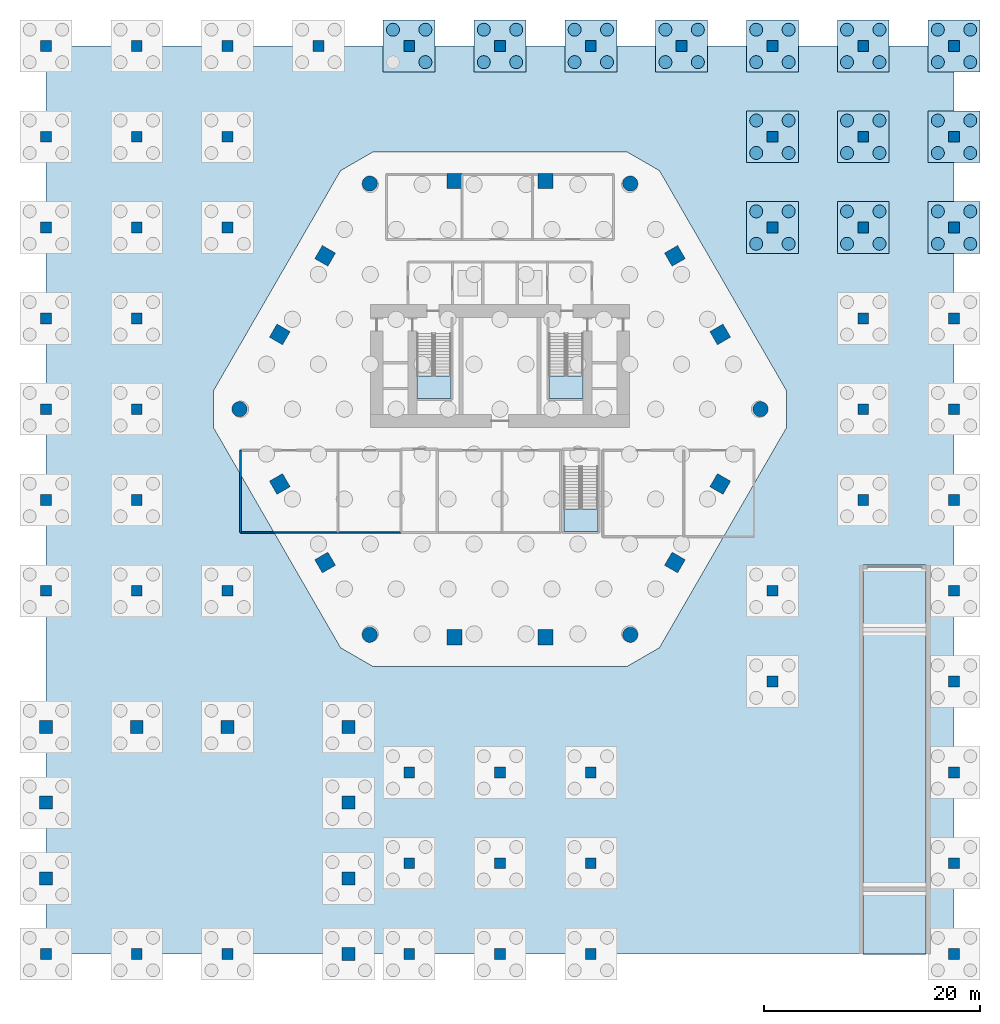
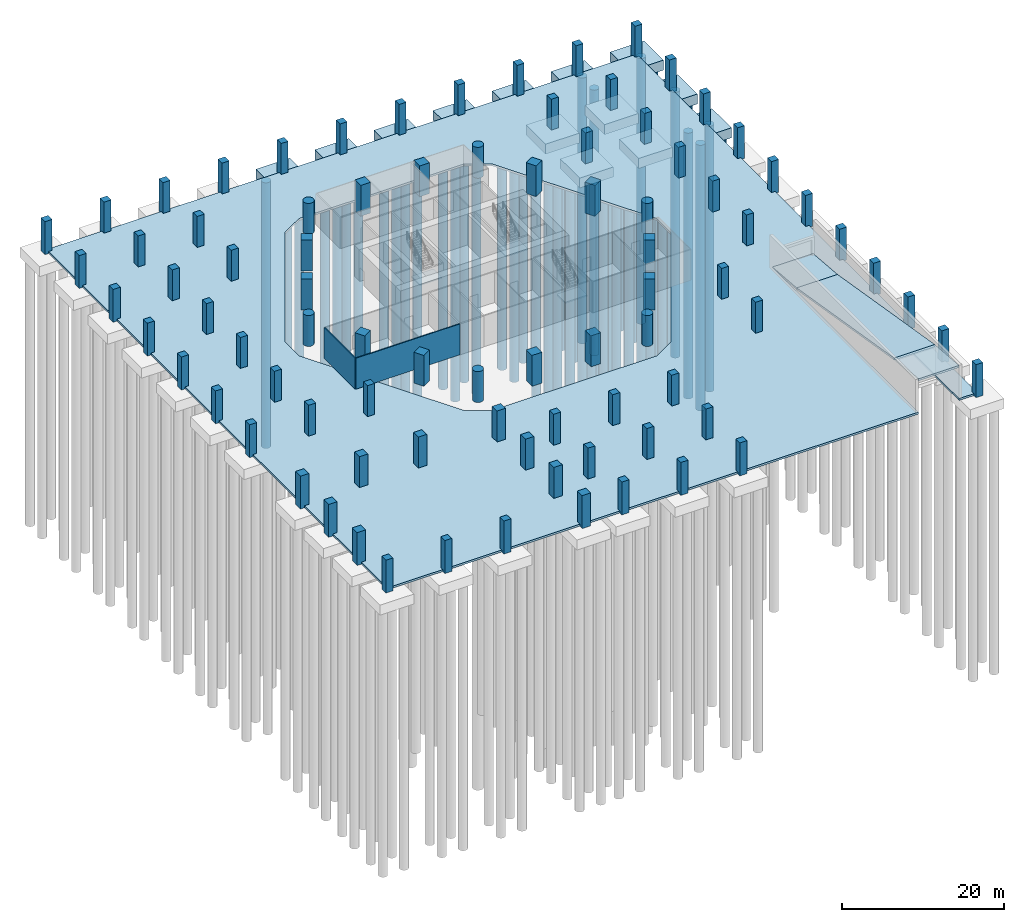
# One storey, part 3 of 7: 84 columns, 51 piles, 13 footings, 7 slabs, 2 walls, 3 elements without a shape of their own.
"""IFC4 building model written with IfcOpenShell, lengths in metres."""

import ifcopenshell
import ifcopenshell.guid

model = None  # the IFC model being written
_history = None  # IfcOwnerHistory: only IFC2X3 demands one
_inside = {}  # id of a spatial element -> (the spatial element, [elements in it])
_under = {}  # id of a project, library or spatial element -> (it, [spatial elements below it])
_declared = {}  # id of a project -> (the project, [libraries it declares])
_typed = {}  # id of a type object -> (the type object, [elements of that type])
_made_of = {}  # id of a material, layer set ... -> (it, [elements and type objects made of it])


def new_model(schema):
    """Start an empty IFC model of exactly this schema.

    Asked for "IFC4X3", IfcOpenShell would pick the latest addendum, in which some entities
    have other attributes; the version numbers below select the first issue.
    IFC2X3 requires an IfcOwnerHistory on every rooted entity: one is made here for all.
    """
    global model, _history
    if schema == "IFC4X3":
        model = ifcopenshell.file(schema_version=(4, 3, 0, 0))
    else:
        model = ifcopenshell.file(schema=schema)
    _inside.clear()
    _under.clear()
    _declared.clear()
    _typed.clear()
    _made_of.clear()
    _history = None
    if model.schema == "IFC2X3":
        org = make("IfcOrganization", Name="unknown")
        user = make(
            "IfcPersonAndOrganization",
            ThePerson=make("IfcPerson", FamilyName="unknown"),
            TheOrganization=org,
        )
        app = make(
            "IfcApplication",
            ApplicationDeveloper=org,
            Version="unknown",
            ApplicationFullName="unknown",
            ApplicationIdentifier="unknown",
        )
        _history = make(
            "IfcOwnerHistory",
            OwningUser=user,
            OwningApplication=app,
            ChangeAction="ADDED",
            CreationDate=0,
        )
    return model


def make(cls, **values):
    """One entity of the class cls with the attributes given. An attribute that is None is left unset."""
    return model.create_entity(
        cls, **{name: value for name, value in values.items() if value is not None}
    )


def rooted(cls, **values):
    """An entity with a GlobalId (a new one), such as an element, a storey or a relation."""
    return make(cls, GlobalId=ifcopenshell.guid.new(), OwnerHistory=_history, **values)


def si_unit(unit_type, name, prefix=None):
    """IfcSIUnit, for example si_unit("LENGTHUNIT", "METRE", prefix="MILLI")."""
    return make("IfcSIUnit", UnitType=unit_type, Prefix=prefix, Name=name)


def assignment(units):
    """IfcUnitAssignment: the units of a project."""
    return None if units is None else make("IfcUnitAssignment", Units=units)


def point(xyz):
    """IfcCartesianPoint."""
    return None if xyz is None else make("IfcCartesianPoint", Coordinates=xyz)


def direction(xyz):
    """IfcDirection."""
    return None if xyz is None else make("IfcDirection", DirectionRatios=xyz)


def frame(location, z_axis=None, x_axis=None):
    """IfcAxis2Placement3D, a coordinate frame: its origin and axes. An axis left out is left unset."""
    return make(
        "IfcAxis2Placement3D",
        Location=point(location),
        Axis=direction(z_axis),
        RefDirection=direction(x_axis),
    )


def frame_2d(location, x_axis=None):
    """IfcAxis2Placement2D, a coordinate frame in the plane: its origin and x axis."""
    return make(
        "IfcAxis2Placement2D", Location=point(location), RefDirection=direction(x_axis)
    )


def origin():
    """The frame at (0, 0, 0) with its axes left unset."""
    return frame((0.0, 0.0, 0.0))


def origin_2d():
    """The frame at (0, 0) in the plane with its x axis left unset."""
    return frame_2d((0.0, 0.0))


def place(relative_to, where):
    """IfcLocalPlacement: puts the frame where relative to a parent placement (None: the world)."""
    return make(
        "IfcLocalPlacement", PlacementRelTo=relative_to, RelativePlacement=where
    )


def context(
    kind, dimensions, precision=None, world=None, true_north=None, identifier=None
):
    """IfcGeometricRepresentationContext, for example the 3D "Model" context."""
    return make(
        "IfcGeometricRepresentationContext",
        ContextIdentifier=identifier,
        ContextType=kind,
        CoordinateSpaceDimension=dimensions,
        Precision=precision,
        WorldCoordinateSystem=world,
        TrueNorth=true_north,
    )


def subcontext(parent, identifier, kind, view, scale=None):
    """IfcGeometricRepresentationSubContext, for example "Body" below "Model"."""
    return make(
        "IfcGeometricRepresentationSubContext",
        ContextIdentifier=identifier,
        ContextType=kind,
        ParentContext=parent,
        TargetScale=scale,
        TargetView=view,
    )


def project(units=None, contexts=None):
    """IfcProject with its units and contexts."""
    return rooted(
        "IfcProject",
        Name="project",
        RepresentationContexts=contexts,
        UnitsInContext=assignment(units),
    )


def spatial(cls, under=None, at=None, **own):
    """A site, building, storey or space (cls), placed at a placement, below another one or the project."""
    s = rooted(cls, ObjectPlacement=at, **own)
    if under is not None:
        _under.setdefault(under.id(), (under, []))[1].append(s)
    return s


def polyline(points):
    """IfcPolyline through the points."""
    return make("IfcPolyline", Points=[point(p) for p in points])


def profile(cls, at=None, kind="AREA", **sizes):
    """A parametric profile (cls). Its sizes go by their IFC names, for example OverallWidth=200.0."""
    return make(cls, ProfileType=kind, Position=at, **sizes)


def rectangle(**sizes):
    """IfcRectangleProfileDef."""
    return profile("IfcRectangleProfileDef", **sizes)


def circle(**sizes):
    """IfcCircleProfileDef."""
    return profile("IfcCircleProfileDef", **sizes)


def outline(outer, holes=None, kind="AREA"):
    """IfcArbitraryClosedProfileDef: a profile drawn as a closed curve; with holes, ...WithVoids."""
    if holes is None:
        return make("IfcArbitraryClosedProfileDef", ProfileType=kind, OuterCurve=outer)
    return make(
        "IfcArbitraryProfileDefWithVoids",
        ProfileType=kind,
        OuterCurve=outer,
        InnerCurves=holes,
    )


def extrude(swept, where, along, depth):
    """IfcExtrudedAreaSolid: the profile swept, set in the frame where, extruded along a direction by depth."""
    return make(
        "IfcExtrudedAreaSolid",
        SweptArea=swept,
        Position=where,
        ExtrudedDirection=direction(along),
        Depth=depth,
    )


def shape(context_of_items, identifier, shape_type, items):
    """IfcShapeRepresentation: the items that make up one representation, for example the "Body"."""
    return make(
        "IfcShapeRepresentation",
        ContextOfItems=context_of_items,
        RepresentationIdentifier=identifier,
        RepresentationType=shape_type,
        Items=items,
    )


def material(Name=None, Category=None):
    """IfcMaterial."""
    return make("IfcMaterial", Name=Name, Category=Category)


def layer(
    of_material, thickness, ventilated=None, Name=None, Category=None, Priority=None
):
    """IfcMaterialLayer: one layer of a wall or slab, of a material (None: an air gap)."""
    return make(
        "IfcMaterialLayer",
        Material=of_material,
        LayerThickness=thickness,
        IsVentilated=ventilated,
        Name=Name,
        Category=Category,
        Priority=Priority,
    )


def layer_set(layers, Name=None):
    """IfcMaterialLayerSet."""
    return make("IfcMaterialLayerSet", MaterialLayers=layers, LayerSetName=Name)


def material_profile(
    of_material, cross_section, Name=None, Category=None, Priority=None
):
    """IfcMaterialProfile: a cross section and its material."""
    return make(
        "IfcMaterialProfile",
        Name=Name,
        Material=of_material,
        Profile=cross_section,
        Priority=Priority,
        Category=Category,
    )


def profile_set(profiles, Name=None, composite=None):
    """IfcMaterialProfileSet."""
    return make(
        "IfcMaterialProfileSet",
        Name=Name,
        MaterialProfiles=profiles,
        CompositeProfile=composite,
    )


def made_of(thing, what):
    """Note that an element or type object is made of a material, layer set ...; save() writes the relation."""
    if what is not None:
        _made_of.setdefault(what.id(), (what, []))[1].append(thing)
    return thing


def type_object(cls, material=None, **own):
    """A type object (cls), such as IfcWallType, which elements share."""
    return made_of(rooted(cls, **own), material)


def element(
    cls,
    number,
    at=None,
    inside=None,
    cuts=None,
    type_object=None,
    material=None,
    context=None,
    identifier="Body",
    shape_type=None,
    held_by="IfcProductDefinitionShape",
    body=None,
    shapes=None,
    **own,
):
    """One element of the class cls, such as IfcWall. Its Tag is "e" and its number.

    at: its placement. inside: the storey or other place that contains it. cuts: it is an
    opening in that element (IfcRelVoidsElement). A single representation is given by context,
    identifier, shape_type and body (its items); several are given by shapes. held_by: the class
    of the entity that holds the representations. save() writes the other relations.
    """
    e = rooted(cls, Tag="e%d" % number, ObjectPlacement=at, **own)
    if body is not None:
        shapes = [shape(context, identifier, shape_type, body)]
    if shapes is not None:
        e.Representation = make(held_by, Representations=shapes)
    if inside is not None:
        _inside.setdefault(inside.id(), (inside, []))[1].append(e)
    if cuts is not None:
        rooted(
            "IfcRelVoidsElement", RelatingBuildingElement=cuts, RelatedOpeningElement=e
        )
    if type_object is not None:
        _typed.setdefault(type_object.id(), (type_object, []))[1].append(e)
    return made_of(e, material)


def aggregate(whole, parts):
    """IfcRelAggregates: a whole, such as a stair, and the parts it consists of."""
    return rooted("IfcRelAggregates", RelatingObject=whole, RelatedObjects=parts)


def save(model, path):
    """Write the relations noted so far, then the file.

    IfcRelAggregates (storeys below a building ...), IfcRelContainedInSpatialStructure (elements
    in a storey), IfcRelDefinesByType, IfcRelAssociatesMaterial and IfcRelDeclares: one each for
    every whole, place, type object, material and project.
    """
    for whole, parts in _under.values():
        aggregate(whole, parts)
    for where, things in _inside.values():
        rooted(
            "IfcRelContainedInSpatialStructure",
            RelatedElements=things,
            RelatingStructure=where,
        )
    for kind, things in _typed.values():
        rooted("IfcRelDefinesByType", RelatedObjects=things, RelatingType=kind)
    for what, things in _made_of.values():
        rooted("IfcRelAssociatesMaterial", RelatedObjects=things, RelatingMaterial=what)
    for by, libraries in _declared.values():
        rooted("IfcRelDeclares", RelatingContext=by, RelatedDefinitions=libraries)
    model.write(path)


model = new_model("IFC4")

# Units and contexts
model_context = context("Model", 3, precision=1e-05, world=origin(), true_north=direction((0.0, 1.0)))
body_context = subcontext(model_context, "Body", "Model", "MODEL_VIEW")
ifc_project = project(units=[si_unit("LENGTHUNIT", "METRE"), si_unit("AREAUNIT", "SQUARE_METRE"), si_unit("VOLUMEUNIT", "CUBIC_METRE"), si_unit("PLANEANGLEUNIT", "RADIAN"), si_unit("MASSUNIT", "GRAM", prefix="KILO")], contexts=[model_context])

# Site, building, storey
site_placement = place(None, origin())
site = spatial("IfcSite", under=ifc_project, at=site_placement, CompositionType="ELEMENT")
building_placement = place(site_placement, origin())
building = spatial("IfcBuilding", under=site, at=building_placement, Name="Ostrander Bayou Hotel Tower", CompositionType="ELEMENT")
storey_placement = place(building_placement, frame((0.0, 0.0, -5.0)))
storey = spatial("IfcBuildingStorey", under=building, at=storey_placement, Name="B1", CompositionType="ELEMENT", Elevation=-5.0)

# Piles
ifc_material_1 = material(Name="Concrete f'c 45 MPa", Category="concrete")
ifc_material_profile_1 = material_profile(ifc_material_1, circle(Radius=0.60009765625, at=origin_2d()))
ifc_profile_set_1 = profile_set([ifc_material_profile_1], Name="Concrete f'c 45 MPa")
pile_type = type_object("IfcPileType", Name="BP2 bored pile 1200 mm f'c 45 MPa", PredefinedType="BORED", material=ifc_profile_set_1)
for number, where, z_axis, x_axis, name in (
    (1, (-6.89990234375, 32.10009765625, -1.699951171875), (0.0, 0.0, -1.0), (1.0, 0.0, 0.0), "BP2 pile 5K-2"),
    (2, (-6.89990234375, 35.10009765625, -1.699951171875), (0.0, 0.0, -1.0), (1.0, 0.0, 0.0), "BP2 pile 5K-3"),
    (3, (-9.89990234375, 35.10009765625, -1.699951171875), (0.0, 0.0, -1.0), (1.0, 0.0, 0.0), "BP2 pile 5K-4"),
    (4, (-1.5, 32.10009765625, -1.699951171875), (0.0, 0.0, -1.0), (1.0, 0.0, 0.0), "BP2 pile 6K-1"),
    (5, (1.5, 32.10009765625, -1.699951171875), (0.0, 0.0, -1.0), (1.0, 0.0, 0.0), "BP2 pile 6K-2"),
    (6, (1.5, 35.10009765625, -1.699951171875), (0.0, 0.0, -1.0), (1.0, 0.0, 0.0), "BP2 pile 6K-3"),
    (7, (-1.5, 35.10009765625, -1.699951171875), (0.0, 0.0, -1.0), (1.0, 0.0, 0.0), "BP2 pile 6K-4"),
    (8, (6.89990234375, 32.10009765625, -1.699951171875), (0.0, 0.0, -1.0), (1.0, 0.0, 0.0), "BP2 pile 7K-1"),
    (9, (9.89990234375, 32.10009765625, -1.699951171875), (0.0, 0.0, -1.0), (1.0, 0.0, 0.0), "BP2 pile 7K-2"),
    (10, (9.89990234375, 35.10009765625, -1.699951171875), (0.0, 0.0, -1.0), (1.0, 0.0, 0.0), "BP2 pile 7K-3"),
    (11, (6.89990234375, 35.10009765625, -1.699951171875), (0.0, 0.0, -1.0), (1.0, 0.0, 0.0), "BP2 pile 7K-4"),
    (12, (15.300048828125, 32.10009765625, -1.699951171875), (0.0, 0.0, -1.0), (1.0, 0.0, 0.0), "BP2 pile 8K-1"),
    (13, (18.300048828125, 32.10009765625, -1.699951171875), (0.0, 0.0, -1.0), (1.0, 0.0, 0.0), "BP2 pile 8K-2"),
    (14, (18.300048828125, 35.10009765625, -1.699951171875), (0.0, 0.0, -1.0), (1.0, 0.0, 0.0), "BP2 pile 8K-3"),
    (15, (15.300048828125, 35.10009765625, -1.699951171875), (0.0, 0.0, -1.0), (1.0, 0.0, 0.0), "BP2 pile 8K-4"),
    (16, (23.699951171875, 15.300048828125, -1.699951171875), (0.0, 0.0, -1.0), (1.0, 0.0, 0.0), "BP2 pile 9I-1"),
    (17, (26.699951171875, 15.300048828125, -1.699951171875), (0.0, 0.0, -1.0), (1.0, 0.0, 0.0), "BP2 pile 9I-2"),
    (18, (26.699951171875, 18.300048828125, -1.699951171875), (0.0, 0.0, -1.0), (1.0, 0.0, 0.0), "BP2 pile 9I-3"),
    (19, (23.699951171875, 18.300048828125, -1.699951171875), (0.0, 0.0, -1.0), (1.0, 0.0, 0.0), "BP2 pile 9I-4"),
    (20, (23.699951171875, 23.699951171875, -1.699951171875), (0.0, 0.0, -1.0), (1.0, 0.0, 0.0), "BP2 pile 9J-1"),
    (21, (26.699951171875, 23.699951171875, -1.699951171875), (0.0, 0.0, -1.0), (1.0, 0.0, 0.0), "BP2 pile 9J-2"),
    (22, (26.699951171875, 26.699951171875, -1.699951171875), (0.0, 0.0, -1.0), (1.0, 0.0, 0.0), "BP2 pile 9J-3"),
    (23, (23.699951171875, 26.699951171875, -1.699951171875), (0.0, 0.0, -1.0), (1.0, 0.0, 0.0), "BP2 pile 9J-4"),
    (24, (23.699951171875, 32.10009765625, -1.699951171875), (0.0, 0.0, -1.0), (1.0, 0.0, 0.0), "BP2 pile 9K-1"),
    (25, (26.699951171875, 32.10009765625, -1.699951171875), (0.0, 0.0, -1.0), (1.0, 0.0, 0.0), "BP2 pile 9K-2"),
    (26, (26.699951171875, 35.10009765625, -1.699951171875), (0.0, 0.0, -1.0), (1.0, 0.0, 0.0), "BP2 pile 9K-3"),
    (27, (23.699951171875, 35.10009765625, -1.699951171875), (0.0, 0.0, -1.0), (1.0, 0.0, 0.0), "BP2 pile 9K-4"),
    (28, (32.10009765625, 15.300048828125, -1.699951171875), (0.0, 0.0, -1.0), (1.0, 0.0, 0.0), "BP2 pile 10I-1"),
    (29, (35.10009765625, 15.300048828125, -1.699951171875), (0.0, 0.0, -1.0), (1.0, 0.0, 0.0), "BP2 pile 10I-2"),
    (30, (35.10009765625, 18.300048828125, -1.699951171875), (0.0, 0.0, -1.0), (1.0, 0.0, 0.0), "BP2 pile 10I-3"),
    (31, (32.10009765625, 18.300048828125, -1.699951171875), (0.0, 0.0, -1.0), (1.0, 0.0, 0.0), "BP2 pile 10I-4"),
    (32, (32.10009765625, 23.699951171875, -1.699951171875), (0.0, 0.0, -1.0), (1.0, 0.0, 0.0), "BP2 pile 10J-1"),
    (33, (35.10009765625, 23.699951171875, -1.699951171875), (0.0, 0.0, -1.0), (1.0, 0.0, 0.0), "BP2 pile 10J-2"),
    (34, (35.10009765625, 26.699951171875, -1.699951171875), (0.0, 0.0, -1.0), (1.0, 0.0, 0.0), "BP2 pile 10J-3"),
    (35, (32.10009765625, 26.699951171875, -1.699951171875), (0.0, 0.0, -1.0), (1.0, 0.0, 0.0), "BP2 pile 10J-4"),
    (36, (32.10009765625, 32.10009765625, -1.699951171875), (0.0, 0.0, -1.0), (1.0, 0.0, 0.0), "BP2 pile 10K-1"),
    (37, (35.10009765625, 32.10009765625, -1.699951171875), (0.0, 0.0, -1.0), (1.0, 0.0, 0.0), "BP2 pile 10K-2"),
    (38, (35.10009765625, 35.10009765625, -1.699951171875), (0.0, 0.0, -1.0), (1.0, 0.0, 0.0), "BP2 pile 10K-3"),
    (39, (32.10009765625, 35.10009765625, -1.699951171875), (0.0, 0.0, -1.0), (1.0, 0.0, 0.0), "BP2 pile 10K-4"),
    (40, (40.5, 15.300048828125, -1.699951171875), (0.0, 0.0, -1.0), (1.0, 0.0, 0.0), "BP2 pile 11I-1"),
    (41, (43.5, 15.300048828125, -1.699951171875), (0.0, 0.0, -1.0), (1.0, 0.0, 0.0), "BP2 pile 11I-2"),
    (42, (43.5, 18.300048828125, -1.699951171875), (0.0, 0.0, -1.0), (1.0, 0.0, 0.0), "BP2 pile 11I-3"),
    (43, (40.5, 18.300048828125, -1.699951171875), (0.0, 0.0, -1.0), (1.0, 0.0, 0.0), "BP2 pile 11I-4"),
    (44, (40.5, 23.699951171875, -1.699951171875), (0.0, 0.0, -1.0), (1.0, 0.0, 0.0), "BP2 pile 11J-1"),
    (45, (43.5, 23.699951171875, -1.699951171875), (0.0, 0.0, -1.0), (1.0, 0.0, 0.0), "BP2 pile 11J-2"),
    (46, (43.5, 26.699951171875, -1.699951171875), (0.0, 0.0, -1.0), (1.0, 0.0, 0.0), "BP2 pile 11J-3"),
    (47, (40.5, 26.699951171875, -1.699951171875), (0.0, 0.0, -1.0), (1.0, 0.0, 0.0), "BP2 pile 11J-4"),
    (48, (40.5, 32.10009765625, -1.699951171875), (0.0, 0.0, -1.0), (1.0, 0.0, 0.0), "BP2 pile 11K-1"),
    (49, (43.5, 32.10009765625, -1.699951171875), (0.0, 0.0, -1.0), (1.0, 0.0, 0.0), "BP2 pile 11K-2"),
    (50, (43.5, 35.10009765625, -1.699951171875), (0.0, 0.0, -1.0), (1.0, 0.0, 0.0), "BP2 pile 11K-3"),
    (51, (40.5, 35.10009765625, -1.699951171875), (0.0, 0.0, -1.0), (1.0, 0.0, 0.0), "BP2 pile 11K-4"),
):
    element("IfcPile", number, at=place(storey_placement, frame(where, z_axis=z_axis, x_axis=x_axis)), inside=storey, type_object=pile_type, Name=name, PredefinedType="BORED", context=body_context, shape_type="SweptSolid", body=[
        extrude(circle(Radius=0.60009765625, at=origin_2d()), origin(), (0.0, 0.0, 1.0), 40.0),
    ])

# Footings
ifc_material_2 = material(Name="Concrete f'c 45 MPa", Category="concrete")
footing_type = type_object("IfcFootingType", Name="F2 pile cap 4800 x 4800 x 1500 mm f'c 45 MPa", PredefinedType="PILE_CAP", material=ifc_material_2)
footing_1_placement = place(storey_placement, frame((0.0, 0.0, -1.800048828125)))
element("IfcFooting", 52, at=footing_1_placement, inside=storey, type_object=footing_type, Name="F2 pile cap 5K", PredefinedType="PILE_CAP", context=body_context, shape_type="SweptSolid", body=[
    extrude(outline(polyline([(-6.0, 31.199951171875), (-6.0, 36.0), (-10.800048828125, 36.0), (-10.800048828125, 31.199951171875), (-6.0, 31.199951171875)])), origin(), (0.0, 0.0, 1.0), 1.5),
])
footing_2_placement = place(storey_placement, frame((0.0, 0.0, -1.800048828125)))
element("IfcFooting", 53, at=footing_2_placement, inside=storey, type_object=footing_type, Name="F2 pile cap 6K", PredefinedType="PILE_CAP", context=body_context, shape_type="SweptSolid", body=[
    extrude(outline(polyline([(2.39990234375, 31.199951171875), (2.39990234375, 36.0), (-2.39990234375, 36.0), (-2.39990234375, 31.199951171875), (2.39990234375, 31.199951171875)])), origin(), (0.0, 0.0, 1.0), 1.5),
])
footing_3_placement = place(storey_placement, frame((0.0, 0.0, -1.800048828125)))
element("IfcFooting", 54, at=footing_3_placement, inside=storey, type_object=footing_type, Name="F2 pile cap 7K", PredefinedType="PILE_CAP", context=body_context, shape_type="SweptSolid", body=[
    extrude(outline(polyline([(10.800048828125, 31.199951171875), (10.800048828125, 36.0), (6.0, 36.0), (6.0, 31.199951171875), (10.800048828125, 31.199951171875)])), origin(), (0.0, 0.0, 1.0), 1.5),
])
footing_4_placement = place(storey_placement, frame((0.0, 0.0, -1.800048828125)))
element("IfcFooting", 55, at=footing_4_placement, inside=storey, type_object=footing_type, Name="F2 pile cap 8K", PredefinedType="PILE_CAP", context=body_context, shape_type="SweptSolid", body=[
    extrude(outline(polyline([(19.199951171875, 31.199951171875), (19.199951171875, 36.0), (14.39990234375, 36.0), (14.39990234375, 31.199951171875), (19.199951171875, 31.199951171875)])), origin(), (0.0, 0.0, 1.0), 1.5),
])
footing_5_placement = place(storey_placement, frame((0.0, 0.0, -1.800048828125)))
element("IfcFooting", 56, at=footing_5_placement, inside=storey, type_object=footing_type, Name="F2 pile cap 9I", PredefinedType="PILE_CAP", context=body_context, shape_type="SweptSolid", body=[
    extrude(outline(polyline([(27.60009765625, 14.39990234375), (27.60009765625, 19.199951171875), (22.800048828125, 19.199951171875), (22.800048828125, 14.39990234375), (27.60009765625, 14.39990234375)])), origin(), (0.0, 0.0, 1.0), 1.5),
])
footing_6_placement = place(storey_placement, frame((0.0, 0.0, -1.800048828125)))
element("IfcFooting", 57, at=footing_6_placement, inside=storey, type_object=footing_type, Name="F2 pile cap 9J", PredefinedType="PILE_CAP", context=body_context, shape_type="SweptSolid", body=[
    extrude(outline(polyline([(27.60009765625, 22.800048828125), (27.60009765625, 27.60009765625), (22.800048828125, 27.60009765625), (22.800048828125, 22.800048828125), (27.60009765625, 22.800048828125)])), origin(), (0.0, 0.0, 1.0), 1.5),
])
footing_7_placement = place(storey_placement, frame((0.0, 0.0, -1.800048828125)))
element("IfcFooting", 58, at=footing_7_placement, inside=storey, type_object=footing_type, Name="F2 pile cap 9K", PredefinedType="PILE_CAP", context=body_context, shape_type="SweptSolid", body=[
    extrude(outline(polyline([(27.60009765625, 31.199951171875), (27.60009765625, 36.0), (22.800048828125, 36.0), (22.800048828125, 31.199951171875), (27.60009765625, 31.199951171875)])), origin(), (0.0, 0.0, 1.0), 1.5),
])
footing_8_placement = place(storey_placement, frame((0.0, 0.0, -1.800048828125)))
element("IfcFooting", 59, at=footing_8_placement, inside=storey, type_object=footing_type, Name="F2 pile cap 10I", PredefinedType="PILE_CAP", context=body_context, shape_type="SweptSolid", body=[
    extrude(outline(polyline([(36.0, 14.39990234375), (36.0, 19.199951171875), (31.199951171875, 19.199951171875), (31.199951171875, 14.39990234375), (36.0, 14.39990234375)])), origin(), (0.0, 0.0, 1.0), 1.5),
])
footing_9_placement = place(storey_placement, frame((0.0, 0.0, -1.800048828125)))
element("IfcFooting", 60, at=footing_9_placement, inside=storey, type_object=footing_type, Name="F2 pile cap 10J", PredefinedType="PILE_CAP", context=body_context, shape_type="SweptSolid", body=[
    extrude(outline(polyline([(36.0, 22.800048828125), (36.0, 27.60009765625), (31.199951171875, 27.60009765625), (31.199951171875, 22.800048828125), (36.0, 22.800048828125)])), origin(), (0.0, 0.0, 1.0), 1.5),
])
footing_10_placement = place(storey_placement, frame((0.0, 0.0, -1.800048828125)))
element("IfcFooting", 61, at=footing_10_placement, inside=storey, type_object=footing_type, Name="F2 pile cap 10K", PredefinedType="PILE_CAP", context=body_context, shape_type="SweptSolid", body=[
    extrude(outline(polyline([(36.0, 31.199951171875), (36.0, 36.0), (31.199951171875, 36.0), (31.199951171875, 31.199951171875), (36.0, 31.199951171875)])), origin(), (0.0, 0.0, 1.0), 1.5),
])
footing_11_placement = place(storey_placement, frame((0.0, 0.0, -1.800048828125)))
element("IfcFooting", 62, at=footing_11_placement, inside=storey, type_object=footing_type, Name="F2 pile cap 11I", PredefinedType="PILE_CAP", context=body_context, shape_type="SweptSolid", body=[
    extrude(outline(polyline([(44.39990234375, 14.39990234375), (44.39990234375, 19.199951171875), (39.60009765625, 19.199951171875), (39.60009765625, 14.39990234375), (44.39990234375, 14.39990234375)])), origin(), (0.0, 0.0, 1.0), 1.5),
])
footing_12_placement = place(storey_placement, frame((0.0, 0.0, -1.800048828125)))
element("IfcFooting", 63, at=footing_12_placement, inside=storey, type_object=footing_type, Name="F2 pile cap 11J", PredefinedType="PILE_CAP", context=body_context, shape_type="SweptSolid", body=[
    extrude(outline(polyline([(44.39990234375, 22.800048828125), (44.39990234375, 27.60009765625), (39.60009765625, 27.60009765625), (39.60009765625, 22.800048828125), (44.39990234375, 22.800048828125)])), origin(), (0.0, 0.0, 1.0), 1.5),
])
footing_13_placement = place(storey_placement, frame((0.0, 0.0, -1.800048828125)))
element("IfcFooting", 64, at=footing_13_placement, inside=storey, type_object=footing_type, Name="F2 pile cap 11K", PredefinedType="PILE_CAP", context=body_context, shape_type="SweptSolid", body=[
    extrude(outline(polyline([(44.39990234375, 31.199951171875), (44.39990234375, 36.0), (39.60009765625, 36.0), (39.60009765625, 31.199951171875), (44.39990234375, 31.199951171875)])), origin(), (0.0, 0.0, 1.0), 1.5),
])

# Columns
ifc_material_3 = material(Name="Concrete f'c 70 MPa", Category="concrete")
ifc_material_profile_2 = material_profile(ifc_material_3, circle(Radius=0.699951171875, at=origin_2d()))
ifc_profile_set_2 = profile_set([ifc_material_profile_2], Name="Concrete f'c 70 MPa")
column_type_1 = type_object("IfcColumnType", Name="C1 round column 1400 mm f'c 70 MPa", PredefinedType="COLUMN", material=ifc_profile_set_2)
for number, where, z_axis, x_axis, name in (
    (65, (-12.050537109375, 20.872314453125, 0.0), (0.0, 0.0, 1.0), (1.0, 0.0, 0.0), "C1 B1 K0"),
    (66, (-24.101318359375, 0.0, 0.0), (0.0, 0.0, 1.0), (1.0, 0.0, 0.0), "C1 B1 K1"),
    (67, (-12.050537109375, -20.872314453125, 0.0), (0.0, 0.0, 1.0), (1.0, 0.0, 0.0), "C1 B1 K2"),
    (68, (12.050537109375, -20.872314453125, 0.0), (0.0, 0.0, 1.0), (1.0, 0.0, 0.0), "C1 B1 K3"),
    (69, (24.101318359375, 0.0, 0.0), (0.0, 0.0, 1.0), (1.0, 0.0, 0.0), "C1 B1 K4"),
    (70, (12.050537109375, 20.872314453125, 0.0), (0.0, 0.0, 1.0), (1.0, 0.0, 0.0), "C1 B1 K5"),
):
    element("IfcColumn", number, at=place(storey_placement, frame(where, z_axis=z_axis, x_axis=x_axis)), inside=storey, type_object=column_type_1, Name=name, PredefinedType="COLUMN", context=body_context, shape_type="SweptSolid", body=[
        extrude(circle(Radius=0.699951171875, at=origin_2d()), origin(), (0.0, 0.0, 1.0), 4.64990234375),
    ])
ifc_material_4 = material(Name="Concrete f'c 70 MPa", Category="concrete")
ifc_material_profile_3 = material_profile(ifc_material_4, rectangle(XDim=1.39990234375, YDim=1.39990234375, at=origin_2d()))
ifc_profile_set_3 = profile_set([ifc_material_profile_3], Name="Concrete f'c 70 MPa")
column_type_2 = type_object("IfcColumnType", Name="C2 square column 1400 x 1400 mm f'c 70 MPa", PredefinedType="COLUMN", material=ifc_profile_set_3)
for number, where, z_axis, x_axis, name in (
    (71, (4.1953125, 21.10009765625, 0.0), (0.0, 0.0, 1.0), (1.0, 0.0, 0.0), "C2 B1 N1"),
    (72, (-4.1953125, 21.10009765625, 0.0), (0.0, 0.0, 1.0), (1.0, 0.0, 0.0), "C2 B1 N2"),
    (73, (-16.17529296875, 14.183349609375, 0.0), (0.0, 0.0, 1.0), (0.5, 0.866025403784, 0.0), "C2 B1 NW1"),
    (74, (-20.370849609375, 6.916748046875, 0.0), (0.0, 0.0, 1.0), (0.5, 0.866025403784, 0.0), "C2 B1 NW2"),
    (75, (-20.370849609375, -6.916748046875, 0.0), (0.0, 0.0, 1.0), (-0.5, 0.866025403784, 0.0), "C2 B1 SW1"),
    (76, (-16.17529296875, -14.183349609375, 0.0), (0.0, 0.0, 1.0), (-0.5, 0.866025403784, 0.0), "C2 B1 SW2"),
    (77, (-4.1953125, -21.10009765625, 0.0), (0.0, 0.0, 1.0), (-1.0, 0.0, 0.0), "C2 B1 S1"),
    (78, (4.1953125, -21.10009765625, 0.0), (0.0, 0.0, 1.0), (-1.0, 0.0, 0.0), "C2 B1 S2"),
    (79, (16.17529296875, -14.183349609375, 0.0), (0.0, 0.0, 1.0), (-0.5, -0.866025403784, 0.0), "C2 B1 SE1"),
    (80, (20.370849609375, -6.916748046875, 0.0), (0.0, 0.0, 1.0), (-0.5, -0.866025403784, 0.0), "C2 B1 SE2"),
    (81, (20.370849609375, 6.916748046875, 0.0), (0.0, 0.0, 1.0), (0.5, -0.866025403784, 0.0), "C2 B1 NE1"),
    (82, (16.17529296875, 14.183349609375, 0.0), (0.0, 0.0, 1.0), (0.5, -0.866025403784, 0.0), "C2 B1 NE2"),
):
    element("IfcColumn", number, at=place(storey_placement, frame(where, z_axis=z_axis, x_axis=x_axis)), inside=storey, type_object=column_type_2, Name=name, PredefinedType="COLUMN", context=body_context, shape_type="SweptSolid", body=[
        extrude(rectangle(XDim=1.39990234375, YDim=1.39990234375, at=origin_2d()), origin(), (0.0, 0.0, 1.0), 4.64990234375),
    ])
ifc_material_5 = material(Name="Concrete f'c 60 MPa", Category="concrete")
ifc_material_profile_4 = material_profile(ifc_material_5, rectangle(XDim=1.0, YDim=1.0, at=origin_2d()))
ifc_profile_set_4 = profile_set([ifc_material_profile_4], Name="Concrete f'c 60 MPa")
column_type_3 = type_object("IfcColumnType", Name="PC1 podium column 1000 x 1000 mm f'c 60 MPa", PredefinedType="COLUMN", material=ifc_profile_set_4)
for number, where, z_axis, x_axis, name in (
    (83, (-42.0, -50.39990234375, -0.300048828125), (0.0, 0.0, 1.0), (1.0, 0.0, 0.0), "PC1 B1 1A"),
    (84, (-42.0, -16.800048828125, -0.300048828125), (0.0, 0.0, 1.0), (1.0, 0.0, 0.0), "PC1 B1 1E"),
    (85, (-42.0, -8.39990234375, -0.300048828125), (0.0, 0.0, 1.0), (1.0, 0.0, 0.0), "PC1 B1 1F"),
    (86, (-42.0, 0.0, -0.300048828125), (0.0, 0.0, 1.0), (1.0, 0.0, 0.0), "PC1 B1 1G"),
    (87, (-42.0, 8.39990234375, -0.300048828125), (0.0, 0.0, 1.0), (1.0, 0.0, 0.0), "PC1 B1 1H"),
    (88, (-42.0, 16.800048828125, -0.300048828125), (0.0, 0.0, 1.0), (1.0, 0.0, 0.0), "PC1 B1 1I"),
    (89, (-42.0, 25.199951171875, -0.300048828125), (0.0, 0.0, 1.0), (1.0, 0.0, 0.0), "PC1 B1 1J"),
    (90, (-42.0, 33.60009765625, -0.300048828125), (0.0, 0.0, 1.0), (1.0, 0.0, 0.0), "PC1 B1 1K"),
    (91, (-33.60009765625, -50.39990234375, -0.300048828125), (0.0, 0.0, 1.0), (1.0, 0.0, 0.0), "PC1 B1 2A"),
    (92, (-33.60009765625, -16.800048828125, -0.300048828125), (0.0, 0.0, 1.0), (1.0, 0.0, 0.0), "PC1 B1 2E"),
    (93, (-33.60009765625, -8.39990234375, -0.300048828125), (0.0, 0.0, 1.0), (1.0, 0.0, 0.0), "PC1 B1 2F"),
    (94, (-33.60009765625, 0.0, -0.300048828125), (0.0, 0.0, 1.0), (1.0, 0.0, 0.0), "PC1 B1 2G"),
    (95, (-33.60009765625, 8.39990234375, -0.300048828125), (0.0, 0.0, 1.0), (1.0, 0.0, 0.0), "PC1 B1 2H"),
    (96, (-33.60009765625, 16.800048828125, -0.300048828125), (0.0, 0.0, 1.0), (1.0, 0.0, 0.0), "PC1 B1 2I"),
    (97, (-33.60009765625, 25.199951171875, -0.300048828125), (0.0, 0.0, 1.0), (1.0, 0.0, 0.0), "PC1 B1 2J"),
    (98, (-33.60009765625, 33.60009765625, -0.300048828125), (0.0, 0.0, 1.0), (1.0, 0.0, 0.0), "PC1 B1 2K"),
    (99, (-25.199951171875, -50.39990234375, -0.300048828125), (0.0, 0.0, 1.0), (1.0, 0.0, 0.0), "PC1 B1 3A"),
    (100, (-25.199951171875, -16.800048828125, -0.300048828125), (0.0, 0.0, 1.0), (1.0, 0.0, 0.0), "PC1 B1 3E"),
    (101, (-25.199951171875, 16.800048828125, -0.300048828125), (0.0, 0.0, 1.0), (1.0, 0.0, 0.0), "PC1 B1 3I"),
    (102, (-25.199951171875, 25.199951171875, -0.300048828125), (0.0, 0.0, 1.0), (1.0, 0.0, 0.0), "PC1 B1 3J"),
    (103, (-25.199951171875, 33.60009765625, -0.300048828125), (0.0, 0.0, 1.0), (1.0, 0.0, 0.0), "PC1 B1 3K"),
    (104, (-16.800048828125, 33.60009765625, -0.300048828125), (0.0, 0.0, 1.0), (1.0, 0.0, 0.0), "PC1 B1 4K"),
    (105, (-8.39990234375, -50.39990234375, -0.300048828125), (0.0, 0.0, 1.0), (1.0, 0.0, 0.0), "PC1 B1 5A"),
    (106, (-8.39990234375, -42.0, -0.300048828125), (0.0, 0.0, 1.0), (1.0, 0.0, 0.0), "PC1 B1 5B"),
    (107, (-8.39990234375, -33.60009765625, -0.300048828125), (0.0, 0.0, 1.0), (1.0, 0.0, 0.0), "PC1 B1 5C"),
    (108, (-8.39990234375, 33.60009765625, -0.300048828125), (0.0, 0.0, 1.0), (1.0, 0.0, 0.0), "PC1 B1 5K"),
    (109, (0.0, -50.39990234375, -0.300048828125), (0.0, 0.0, 1.0), (1.0, 0.0, 0.0), "PC1 B1 6A"),
    (110, (0.0, -42.0, -0.300048828125), (0.0, 0.0, 1.0), (1.0, 0.0, 0.0), "PC1 B1 6B"),
    (111, (0.0, -33.60009765625, -0.300048828125), (0.0, 0.0, 1.0), (1.0, 0.0, 0.0), "PC1 B1 6C"),
    (112, (0.0, 33.60009765625, -0.300048828125), (0.0, 0.0, 1.0), (1.0, 0.0, 0.0), "PC1 B1 6K"),
    (113, (8.39990234375, -50.39990234375, -0.300048828125), (0.0, 0.0, 1.0), (1.0, 0.0, 0.0), "PC1 B1 7A"),
    (114, (8.39990234375, -42.0, -0.300048828125), (0.0, 0.0, 1.0), (1.0, 0.0, 0.0), "PC1 B1 7B"),
    (115, (8.39990234375, -33.60009765625, -0.300048828125), (0.0, 0.0, 1.0), (1.0, 0.0, 0.0), "PC1 B1 7C"),
    (116, (8.39990234375, 33.60009765625, -0.300048828125), (0.0, 0.0, 1.0), (1.0, 0.0, 0.0), "PC1 B1 7K"),
    (117, (16.800048828125, 33.60009765625, -0.300048828125), (0.0, 0.0, 1.0), (1.0, 0.0, 0.0), "PC1 B1 8K"),
    (118, (25.199951171875, -25.199951171875, -0.300048828125), (0.0, 0.0, 1.0), (1.0, 0.0, 0.0), "PC1 B1 9D"),
    (119, (25.199951171875, -16.800048828125, -0.300048828125), (0.0, 0.0, 1.0), (1.0, 0.0, 0.0), "PC1 B1 9E"),
    (120, (25.199951171875, 16.800048828125, -0.300048828125), (0.0, 0.0, 1.0), (1.0, 0.0, 0.0), "PC1 B1 9I"),
    (121, (25.199951171875, 25.199951171875, -0.300048828125), (0.0, 0.0, 1.0), (1.0, 0.0, 0.0), "PC1 B1 9J"),
    (122, (25.199951171875, 33.60009765625, -0.300048828125), (0.0, 0.0, 1.0), (1.0, 0.0, 0.0), "PC1 B1 9K"),
    (123, (33.60009765625, -8.39990234375, -0.300048828125), (0.0, 0.0, 1.0), (1.0, 0.0, 0.0), "PC1 B1 10F"),
    (124, (33.60009765625, 0.0, -0.300048828125), (0.0, 0.0, 1.0), (1.0, 0.0, 0.0), "PC1 B1 10G"),
    (125, (33.60009765625, 8.39990234375, -0.300048828125), (0.0, 0.0, 1.0), (1.0, 0.0, 0.0), "PC1 B1 10H"),
    (126, (33.60009765625, 16.800048828125, -0.300048828125), (0.0, 0.0, 1.0), (1.0, 0.0, 0.0), "PC1 B1 10I"),
    (127, (33.60009765625, 25.199951171875, -0.300048828125), (0.0, 0.0, 1.0), (1.0, 0.0, 0.0), "PC1 B1 10J"),
    (128, (33.60009765625, 33.60009765625, -0.300048828125), (0.0, 0.0, 1.0), (1.0, 0.0, 0.0), "PC1 B1 10K"),
    (129, (42.0, -50.39990234375, -0.300048828125), (0.0, 0.0, 1.0), (1.0, 0.0, 0.0), "PC1 B1 11A"),
    (130, (42.0, -42.0, -0.300048828125), (0.0, 0.0, 1.0), (1.0, 0.0, 0.0), "PC1 B1 11B"),
    (131, (42.0, -33.60009765625, -0.300048828125), (0.0, 0.0, 1.0), (1.0, 0.0, 0.0), "PC1 B1 11C"),
    (132, (42.0, -25.199951171875, -0.300048828125), (0.0, 0.0, 1.0), (1.0, 0.0, 0.0), "PC1 B1 11D"),
    (133, (42.0, -16.800048828125, -0.300048828125), (0.0, 0.0, 1.0), (1.0, 0.0, 0.0), "PC1 B1 11E"),
    (134, (42.0, -8.39990234375, -0.300048828125), (0.0, 0.0, 1.0), (1.0, 0.0, 0.0), "PC1 B1 11F"),
    (135, (42.0, 0.0, -0.300048828125), (0.0, 0.0, 1.0), (1.0, 0.0, 0.0), "PC1 B1 11G"),
    (136, (42.0, 8.39990234375, -0.300048828125), (0.0, 0.0, 1.0), (1.0, 0.0, 0.0), "PC1 B1 11H"),
    (137, (42.0, 16.800048828125, -0.300048828125), (0.0, 0.0, 1.0), (1.0, 0.0, 0.0), "PC1 B1 11I"),
    (138, (42.0, 25.199951171875, -0.300048828125), (0.0, 0.0, 1.0), (1.0, 0.0, 0.0), "PC1 B1 11J"),
    (139, (42.0, 33.60009765625, -0.300048828125), (0.0, 0.0, 1.0), (1.0, 0.0, 0.0), "PC1 B1 11K"),
):
    element("IfcColumn", number, at=place(storey_placement, frame(where, z_axis=z_axis, x_axis=x_axis)), inside=storey, type_object=column_type_3, Name=name, PredefinedType="COLUMN", context=body_context, shape_type="SweptSolid", body=[
        extrude(rectangle(XDim=1.0, YDim=1.0, at=origin_2d()), origin(), (0.0, 0.0, 1.0), 4.949951171875),
    ])
ifc_material_6 = material(Name="Concrete f'c 60 MPa", Category="concrete")
ifc_material_profile_5 = material_profile(ifc_material_6, rectangle(XDim=1.199951171875, YDim=1.199951171875, at=origin_2d()))
ifc_profile_set_5 = profile_set([ifc_material_profile_5], Name="Concrete f'c 60 MPa")
column_type_4 = type_object("IfcColumnType", Name="PC2 ballroom column 1200 x 1200 mm f'c 60 MPa", PredefinedType="COLUMN", material=ifc_profile_set_5)
for number, where, z_axis, x_axis, name in (
    (140, (-14.0, -43.39990234375, -0.300048828125), (0.0, 0.0, 1.0), (1.0, 0.0, 0.0), "PC2 B1 BR1"),
    (141, (-42.0, -43.39990234375, -0.300048828125), (0.0, 0.0, 1.0), (1.0, 0.0, 0.0), "PC2 B1 BW1"),
    (142, (-14.0, -36.39990234375, -0.300048828125), (0.0, 0.0, 1.0), (1.0, 0.0, 0.0), "PC2 B1 BR2"),
    (143, (-42.0, -36.39990234375, -0.300048828125), (0.0, 0.0, 1.0), (1.0, 0.0, 0.0), "PC2 B1 BW2"),
    (144, (-14.0, -50.39990234375, -0.300048828125), (0.0, 0.0, 1.0), (1.0, 0.0, 0.0), "PC2 B1 BR0"),
    (145, (-14.0, -29.39990234375, -0.300048828125), (0.0, 0.0, 1.0), (1.0, 0.0, 0.0), "PC2 B1 BR3"),
    (146, (-42.0, -29.39990234375, -0.300048828125), (0.0, 0.0, 1.0), (1.0, 0.0, 0.0), "PC2 B1 BE1"),
    (147, (-33.60009765625, -29.39990234375, -0.300048828125), (0.0, 0.0, 1.0), (1.0, 0.0, 0.0), "PC2 B1 BE2"),
    (148, (-25.199951171875, -29.39990234375, -0.300048828125), (0.0, 0.0, 1.0), (1.0, 0.0, 0.0), "PC2 B1 BE3"),
):
    element("IfcColumn", number, at=place(storey_placement, frame(where, z_axis=z_axis, x_axis=x_axis)), inside=storey, type_object=column_type_4, Name=name, PredefinedType="COLUMN", context=body_context, shape_type="SweptSolid", body=[
        extrude(rectangle(XDim=1.199951171875, YDim=1.199951171875, at=origin_2d()), origin(), (0.0, 0.0, 1.0), 4.949951171875),
    ])

# Slabs
ifc_material_7 = material(Name="Concrete f'c 40 MPa", Category="concrete")
ifc_layer_1 = layer(ifc_material_7, 0.300048828125)
ifc_layer_set_1 = layer_set([ifc_layer_1], Name="SL10 ramp slab 300 mm f'c 40 MPa")
slab_type_1 = type_object("IfcSlabType", Name="SL10 ramp slab 300 mm f'c 40 MPa", PredefinedType="FLOOR", material=ifc_layer_set_1)
slab_1_placement = place(storey_placement, frame((33.60009765625, -50.39990234375, 5.0), z_axis=(0.0, 0.083045479854, 0.996545758245), x_axis=(1.0, 0.0, 0.0)))
element("IfcSlab", 149, at=slab_1_placement, inside=storey, type_object=slab_type_1, Name="SL10 VEHICLE RAMP SLAB 1", PredefinedType="FLOOR", context=body_context, shape_type="SweptSolid", body=[
    extrude(outline(polyline([(0.0, 0.0), (5.7998046875, 0.0), (5.7998046875, 6.020797289396147), (0.0, 6.020797289396147), (0.0, 0.0)])), origin(), (0.0, 0.0, -1.0), 0.300048828125),
])
slab_2_placement = place(storey_placement, frame((33.60009765625, -44.39990234375, 4.5), z_axis=(0.0, 0.164398987305, 0.986393923832), x_axis=(1.0, 0.0, 0.0)))
element("IfcSlab", 150, at=slab_2_placement, inside=storey, type_object=slab_type_1, Name="SL10 VEHICLE RAMP SLAB 2", PredefinedType="FLOOR", context=body_context, shape_type="SweptSolid", body=[
    extrude(outline(polyline([(0.0, 0.0), (5.7998046875, 0.0), (5.7998046875, 24.33105012119288), (0.0, 24.33105012119288), (0.0, 0.0)])), origin(), (0.0, 0.0, -1.0), 0.300048828125),
])
slab_3_placement = place(storey_placement, frame((33.60009765625, -20.39990234375, 0.5), z_axis=(0.0, 0.083045479854, 0.996545758245), x_axis=(1.0, 0.0, 0.0)))
element("IfcSlab", 151, at=slab_3_placement, inside=storey, type_object=slab_type_1, Name="SL10 VEHICLE RAMP SLAB 3", PredefinedType="FLOOR", context=body_context, shape_type="SweptSolid", body=[
    extrude(outline(polyline([(0.0, 0.0), (5.7998046875, 0.0), (5.7998046875, 6.020797289396147), (0.0, 6.020797289396147), (0.0, 0.0)])), origin(), (0.0, 0.0, -1.0), 0.300048828125),
])
ifc_material_8 = material(Name="Concrete f'c 40 MPa", Category="concrete")
ifc_layer_2 = layer(ifc_material_8, 0.300048828125)
ifc_layer_set_2 = layer_set([ifc_layer_2], Name="SL5 basement slab 300 mm f'c 40 MPa")
slab_type_2 = type_object("IfcSlabType", Name="SL5 basement slab 300 mm f'c 40 MPa", PredefinedType="BASESLAB", material=ifc_layer_set_2)
slab_4_placement = place(storey_placement, frame((0.0, 0.0, -0.300048828125)))
element("IfcSlab", 152, at=slab_4_placement, inside=storey, type_object=slab_type_2, Name="SL5 B1 1", PredefinedType="BASESLAB", context=body_context, shape_type="SweptSolid", body=[
    extrude(outline(polyline([(42.0, -50.39990234375), (39.39990234375, -50.39990234375), (39.39990234375, -14.39990234375), (33.60009765625, -14.39990234375), (33.60009765625, -50.39990234375), (-42.0, -50.39990234375), (-42.0, 33.60009765625), (42.0, 33.60009765625), (42.0, -50.39990234375)]), holes=[polyline([(-11.736572265625, -23.800048828125), (11.736572265625, -23.800048828125), (14.7431640625, -22.064208984375), (26.479736328125, -1.73583984375), (26.479736328125, 1.73583984375), (14.7431640625, 22.064208984375), (11.736572265625, 23.800048828125), (-11.736572265625, 23.800048828125), (-14.7431640625, 22.064208984375), (-26.479736328125, 1.73583984375), (-26.479736328125, -1.73583984375), (-14.7431640625, -22.064208984375), (-11.736572265625, -23.800048828125)])]), origin(), (0.0, 0.0, 1.0), 0.300048828125),
])

# Stair, slab
ifc_material_9 = material(Name="Concrete f'c 45 MPa", Category="concrete")
stair_type = type_object("IfcStairType", Name="ST1 exit stair 1500 mm f'c 45 MPa", PredefinedType="HALF_TURN_STAIR", material=ifc_material_9)
stair_1_placement = place(storey_placement, origin())
stair_1 = element("IfcStair", 153, at=stair_1_placement, inside=storey, type_object=stair_type, Name="B1 exit stair A", PredefinedType="HALF_TURN_STAIR")
ifc_material_10 = material(Name="Concrete f'c 45 MPa", Category="concrete")
ifc_layer_3 = layer(ifc_material_10, 0.199951171875)
ifc_layer_set_3 = layer_set([ifc_layer_3], Name="SL8 stair landing 200 mm f'c 45 MPa")
slab_type_3 = type_object("IfcSlabType", Name="SL8 stair landing 200 mm f'c 45 MPa", PredefinedType="LANDING", material=ifc_layer_set_3)
slab_5_placement = place(storey_placement, frame((0.0, 0.0, 2.300048828125)))
slab_5 = element("IfcSlab", 154, at=slab_5_placement, type_object=slab_type_3, Name="STA landing 1", PredefinedType="LANDING", context=body_context, shape_type="SweptSolid", body=[
    extrude(outline(polyline([(-7.699951171875, 3.080078125), (-7.699951171875, 1.0), (-4.550048828125, 1.0), (-4.550048828125, 3.080078125), (-7.699951171875, 3.080078125)])), origin(), (0.0, 0.0, 1.0), 0.199951171875),
])
aggregate(stair_1, [slab_5])

stair_2_placement = place(storey_placement, origin())
stair_2 = element("IfcStair", 155, at=stair_2_placement, inside=storey, type_object=stair_type, Name="B1 exit stair B", PredefinedType="HALF_TURN_STAIR")
slab_6_placement = place(storey_placement, frame((0.0, 0.0, 2.300048828125)))
slab_6 = element("IfcSlab", 156, at=slab_6_placement, type_object=slab_type_3, Name="STB landing 1", PredefinedType="LANDING", context=body_context, shape_type="SweptSolid", body=[
    extrude(outline(polyline([(4.550048828125, 3.080078125), (4.550048828125, 1.0), (7.699951171875, 1.0), (7.699951171875, 3.080078125), (4.550048828125, 3.080078125)])), origin(), (0.0, 0.0, 1.0), 0.199951171875),
])
aggregate(stair_2, [slab_6])

stair_3_placement = place(storey_placement, origin())
stair_3 = element("IfcStair", 157, at=stair_3_placement, inside=storey, type_object=stair_type, Name="B1 exit stair C", PredefinedType="HALF_TURN_STAIR")
slab_7_placement = place(storey_placement, frame((0.0, 0.0, 2.300048828125)))
slab_7 = element("IfcSlab", 158, at=slab_7_placement, type_object=slab_type_3, Name="STC landing 1", PredefinedType="LANDING", context=body_context, shape_type="SweptSolid", body=[
    extrude(outline(polyline([(5.89990234375, -9.219970703125), (5.89990234375, -11.300048828125), (9.050048828125, -11.300048828125), (9.050048828125, -9.219970703125), (5.89990234375, -9.219970703125)])), origin(), (0.0, 0.0, 1.0), 0.199951171875),
])
aggregate(stair_3, [slab_7])

# Walls
ifc_material_11 = material(Name="Gypsum board partition", Category="finish")
ifc_layer_4 = layer(ifc_material_11, 0.14990234375)
ifc_layer_set_4 = layer_set([ifc_layer_4], Name="PT8 service band wall 150 mm, 1 hour")
wall_type = type_object("IfcWallType", Name="PT8 service band wall 150 mm, 1 hour", PredefinedType="PARTITIONING", material=ifc_layer_set_4)
wall_1_placement = place(storey_placement, frame((-24.0, -11.39990234375, 0.0), z_axis=(0.0, 0.0, 1.0), x_axis=(1.0, 0.0, 0.0)))
element("IfcWall", 159, at=wall_1_placement, inside=storey, type_object=wall_type, Name="bw:B1:021", PredefinedType="PARTITIONING", context=body_context, shape_type="SweptSolid", body=[
    extrude(rectangle(XDim=14.85009765625, YDim=0.14990234375, at=frame_2d((7.425048828125, 0.0))), origin(), (0.0, 0.0, 1.0), 4.64990234375),
])
wall_2_placement = place(storey_placement, frame((-24.0, -3.800048828125, 0.0), z_axis=(0.0, 0.0, 1.0), x_axis=(0.0, -1.0, 0.0)))
element("IfcWall", 160, at=wall_2_placement, inside=storey, type_object=wall_type, Name="bw:B1:022", PredefinedType="PARTITIONING", context=body_context, shape_type="SweptSolid", body=[
    extrude(rectangle(XDim=7.599853515625, YDim=0.14990234375, at=frame_2d((3.7998046875, 0.0))), origin(), (0.0, 0.0, 1.0), 4.64990234375),
])

save(model, "model.ifc")
